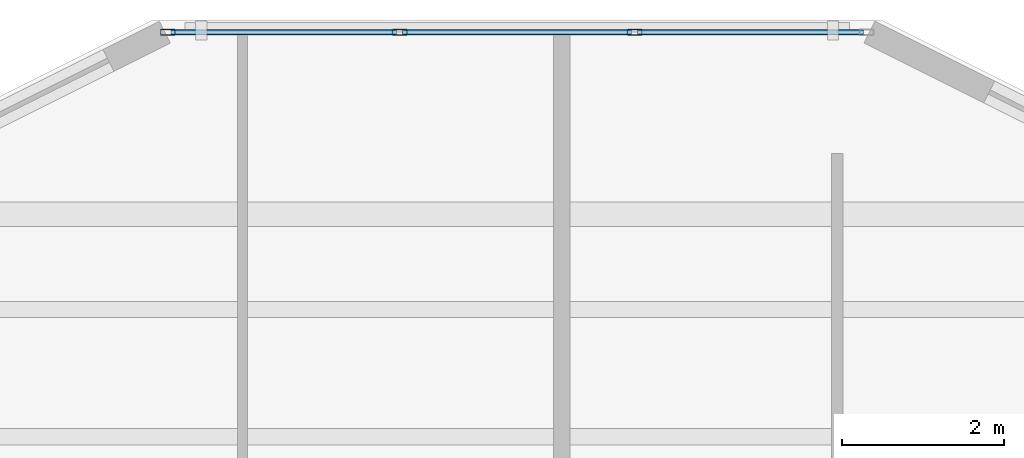
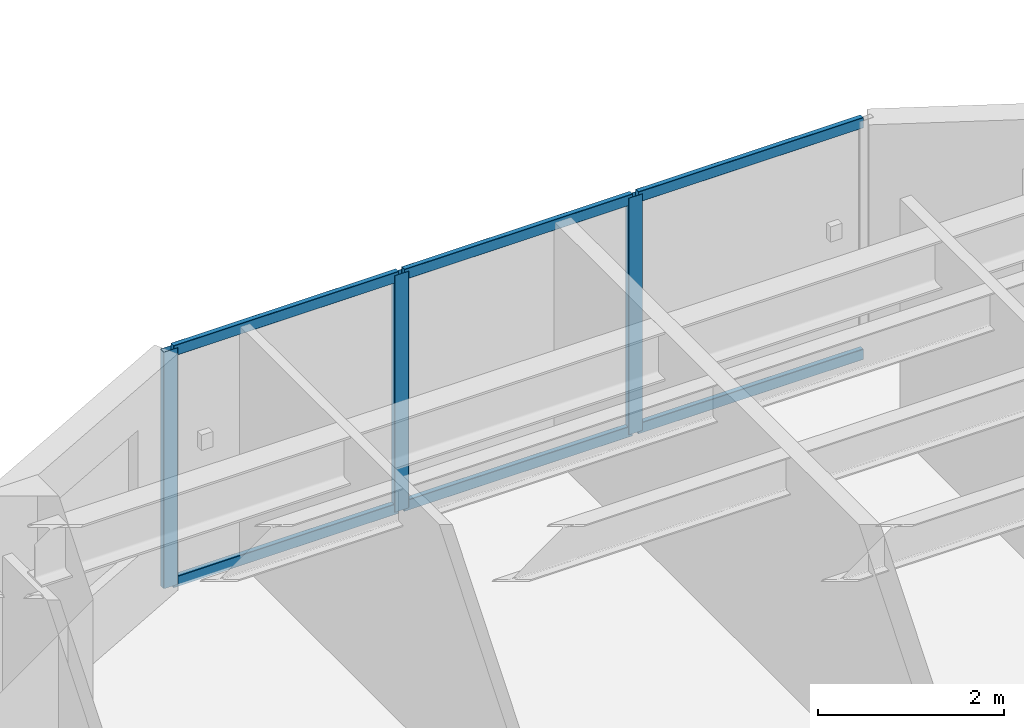
# One storey, part 6 of 19: 9 members, 1 element without a shape of its own.
"""IFC4 building model written with IfcOpenShell, lengths in metres."""

from ifc_helpers import new_model, si_unit, direction, frame, origin, origin_2d, place, context, subcontext, project, spatial, hollow_rectangle, extrude, material, layer, layer_set, material_profile, profile_set, type_object, element, aggregate, save


model = new_model("IFC4")

# Units and contexts
model_context = context("Model", 3, precision=1e-05, world=origin(), true_north=direction((0.0, 1.0)))
body_context = subcontext(model_context, "Body", "Model", "MODEL_VIEW")
ifc_project = project(units=[si_unit("LENGTHUNIT", "METRE"), si_unit("AREAUNIT", "SQUARE_METRE"), si_unit("VOLUMEUNIT", "CUBIC_METRE"), si_unit("PLANEANGLEUNIT", "RADIAN"), si_unit("MASSUNIT", "GRAM", prefix="KILO")], contexts=[model_context])

# Site, building, storey
site_placement = place(None, origin())
site = spatial("IfcSite", under=ifc_project, at=site_placement, CompositionType="ELEMENT")
building_placement = place(site_placement, origin())
building = spatial("IfcBuilding", under=site, at=building_placement, Name="Tarnavaz Court Tower", CompositionType="ELEMENT")
storey_placement = place(building_placement, frame((0.0, 0.0, 54.14990234375)))
storey = spatial("IfcBuildingStorey", under=building, at=storey_placement, Name="L14", CompositionType="ELEMENT", Elevation=54.14990234375)

# Curtain wall, members
ifc_material_1 = material(Name="Anodised Aluminium 6063-T6 and Solar Low-E Glazing", Category="aluminium")
ifc_layer = layer(ifc_material_1, 0.179931640625)
ifc_layer_set = layer_set([ifc_layer], Name="Anodised Aluminium 6063-T6 and Solar Low-E Glazing")
curtain_wall_type = type_object("IfcCurtainWallType", Name="CW-SYS-02", PredefinedType="NOTDEFINED", material=ifc_layer_set)
curtain_wall_placement = place(storey_placement, origin())
curtain_wall = element("IfcCurtainWall", 1, at=curtain_wall_placement, inside=storey, type_object=curtain_wall_type, Name="L14 Iwan Prow Curtain Wall 7", PredefinedType="NOTDEFINED")
ifc_material_2 = material(Name="Anodised Aluminium 6063-T6", Category="aluminium")
ifc_material_profile_1 = material_profile(ifc_material_2, hollow_rectangle(XDim=0.074951171875, YDim=0.179931640625, WallThickness=0.0048828125, InnerFilletRadius=0.0048828125, OuterFilletRadius=0.010009765625, at=origin_2d()), Name="ALU RHS 180X75X5")
ifc_profile_set_1 = profile_set([ifc_material_profile_1], Name="Anodised Aluminium 6063-T6")
member_type_1 = type_object("IfcMemberType", Name="CW-MUL-180", PredefinedType="MULLION", material=ifc_profile_set_1)
member_1_placement = place(storey_placement, frame((-4.3125, 25.050048828125, 0.0), z_axis=(0.0, 0.0, 1.0), x_axis=(0.0, 1.0, 0.0)))
member_1 = element("IfcMember", 2, at=member_1_placement, type_object=member_type_1, Name="CW mullion 1", PredefinedType="MULLION", context=body_context, shape_type="SweptSolid", body=[
    extrude(hollow_rectangle(XDim=0.074951171875, YDim=0.179931640625, WallThickness=0.0048828125, InnerFilletRadius=0.0048828125, OuterFilletRadius=0.010009765625, at=origin_2d()), origin(), (0.0, 0.0, 1.0), 3.10009765625),
])
member_2_placement = place(storey_placement, frame((-1.449951171875, 25.050048828125, 0.0), z_axis=(0.0, 0.0, 1.0), x_axis=(0.0, 1.0, 0.0)))
member_2 = element("IfcMember", 3, at=member_2_placement, type_object=member_type_1, Name="CW mullion 2", PredefinedType="MULLION", context=body_context, shape_type="SweptSolid", body=[
    extrude(hollow_rectangle(XDim=0.074951171875, YDim=0.179931640625, WallThickness=0.0048828125, InnerFilletRadius=0.0048828125, OuterFilletRadius=0.010009765625, at=origin_2d()), origin(), (0.0, 0.0, 1.0), 3.10009765625),
])
member_3_placement = place(storey_placement, frame((1.449951171875, 25.050048828125, 0.0), z_axis=(0.0, 0.0, 1.0), x_axis=(0.0, 1.0, 0.0)))
member_3 = element("IfcMember", 4, at=member_3_placement, type_object=member_type_1, Name="CW mullion 3", PredefinedType="MULLION", context=body_context, shape_type="SweptSolid", body=[
    extrude(hollow_rectangle(XDim=0.074951171875, YDim=0.179931640625, WallThickness=0.0048828125, InnerFilletRadius=0.0048828125, OuterFilletRadius=0.010009765625, at=origin_2d()), origin(), (0.0, 0.0, 1.0), 3.10009765625),
])
ifc_material_profile_2 = material_profile(ifc_material_2, hollow_rectangle(XDim=0.06494140625, YDim=0.139892578125, WallThickness=0.00390625, InnerFilletRadius=0.00390625, OuterFilletRadius=0.008056640625, at=origin_2d()), Name="ALU RHS 140X65X4")
ifc_profile_set_2 = profile_set([ifc_material_profile_2], Name="Anodised Aluminium 6063-T6")
member_type_2 = type_object("IfcMemberType", Name="CW-TRN-140", PredefinedType="USERDEFINED", material=ifc_profile_set_2)
member_4_placement = place(storey_placement, frame((-4.27490234375, 25.050048828125, 0.03271484375), z_axis=(1.0, 0.0, 0.0), x_axis=(0.0, 1.0, 0.0)))
member_4 = element("IfcMember", 5, at=member_4_placement, type_object=member_type_2, Name="CW transom 1.1", ObjectType="TRANSOM", PredefinedType="USERDEFINED", context=body_context, shape_type="SweptSolid", body=[
    extrude(hollow_rectangle(XDim=0.06494140625, YDim=0.139892578125, WallThickness=0.00390625, InnerFilletRadius=0.00390625, OuterFilletRadius=0.008056640625, at=origin_2d()), origin(), (0.0, 0.0, 1.0), 2.787353515625),
])
member_5_placement = place(storey_placement, frame((-4.27490234375, 25.050048828125, 3.067626953125), z_axis=(1.0, 0.0, 0.0), x_axis=(0.0, 1.0, 0.0)))
member_5 = element("IfcMember", 6, at=member_5_placement, type_object=member_type_2, Name="CW transom 1.2", ObjectType="TRANSOM", PredefinedType="USERDEFINED", context=body_context, shape_type="SweptSolid", body=[
    extrude(hollow_rectangle(XDim=0.06494140625, YDim=0.139892578125, WallThickness=0.00390625, InnerFilletRadius=0.00390625, OuterFilletRadius=0.008056640625, at=origin_2d()), origin(), (0.0, 0.0, 1.0), 2.787353515625),
])
member_6_placement = place(storey_placement, frame((-1.41259765625, 25.050048828125, 0.03271484375), z_axis=(1.0, 0.0, 0.0), x_axis=(0.0, 1.0, 0.0)))
member_6 = element("IfcMember", 7, at=member_6_placement, type_object=member_type_2, Name="CW transom 2.1", ObjectType="TRANSOM", PredefinedType="USERDEFINED", context=body_context, shape_type="SweptSolid", body=[
    extrude(hollow_rectangle(XDim=0.06494140625, YDim=0.139892578125, WallThickness=0.00390625, InnerFilletRadius=0.00390625, OuterFilletRadius=0.008056640625, at=origin_2d()), origin(), (0.0, 0.0, 1.0), 2.8251953125),
])
member_7_placement = place(storey_placement, frame((-1.41259765625, 25.050048828125, 3.067626953125), z_axis=(1.0, 0.0, 0.0), x_axis=(0.0, 1.0, 0.0)))
member_7 = element("IfcMember", 8, at=member_7_placement, type_object=member_type_2, Name="CW transom 2.2", ObjectType="TRANSOM", PredefinedType="USERDEFINED", context=body_context, shape_type="SweptSolid", body=[
    extrude(hollow_rectangle(XDim=0.06494140625, YDim=0.139892578125, WallThickness=0.00390625, InnerFilletRadius=0.00390625, OuterFilletRadius=0.008056640625, at=origin_2d()), origin(), (0.0, 0.0, 1.0), 2.8251953125),
])
member_8_placement = place(storey_placement, frame((1.487548828125, 25.050048828125, 0.03271484375), z_axis=(1.0, 0.0, 0.0), x_axis=(0.0, 1.0, 0.0)))
member_8 = element("IfcMember", 9, at=member_8_placement, type_object=member_type_2, Name="CW transom 3.1", ObjectType="TRANSOM", PredefinedType="USERDEFINED", context=body_context, shape_type="SweptSolid", body=[
    extrude(hollow_rectangle(XDim=0.06494140625, YDim=0.139892578125, WallThickness=0.00390625, InnerFilletRadius=0.00390625, OuterFilletRadius=0.008056640625, at=origin_2d()), origin(), (0.0, 0.0, 1.0), 2.787353515625),
])
member_9_placement = place(storey_placement, frame((1.487548828125, 25.050048828125, 3.067626953125), z_axis=(1.0, 0.0, 0.0), x_axis=(0.0, 1.0, 0.0)))
member_9 = element("IfcMember", 10, at=member_9_placement, type_object=member_type_2, Name="CW transom 3.2", ObjectType="TRANSOM", PredefinedType="USERDEFINED", context=body_context, shape_type="SweptSolid", body=[
    extrude(hollow_rectangle(XDim=0.06494140625, YDim=0.139892578125, WallThickness=0.00390625, InnerFilletRadius=0.00390625, OuterFilletRadius=0.008056640625, at=origin_2d()), origin(), (0.0, 0.0, 1.0), 2.787353515625),
])
aggregate(curtain_wall, [member_1, member_2, member_3, member_4, member_5, member_6, member_7, member_8, member_9])

save(model, "model.ifc")
